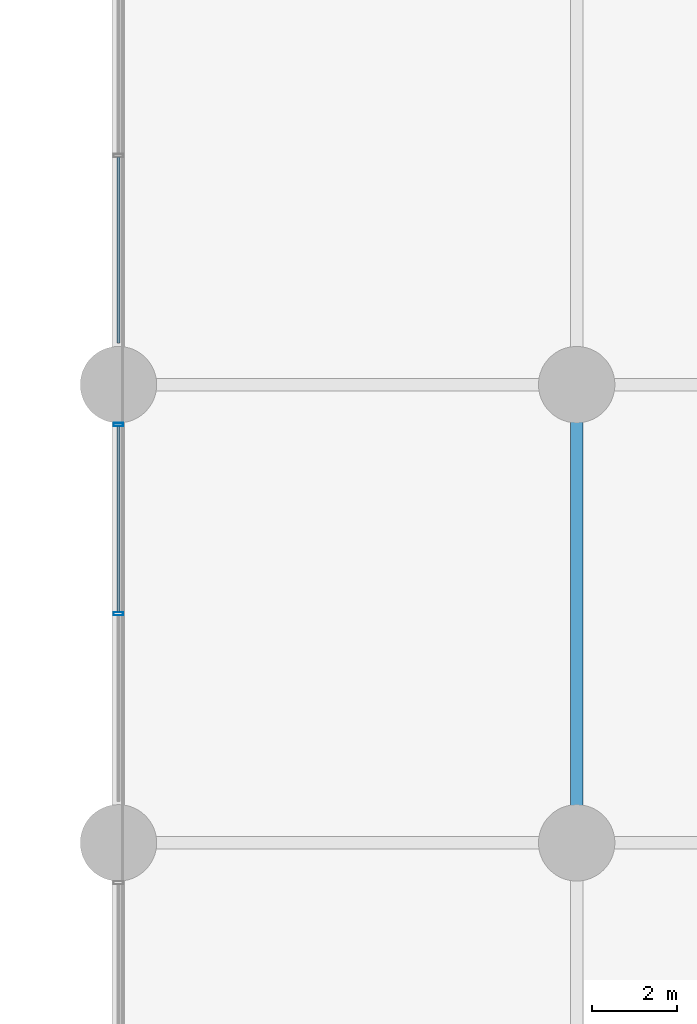
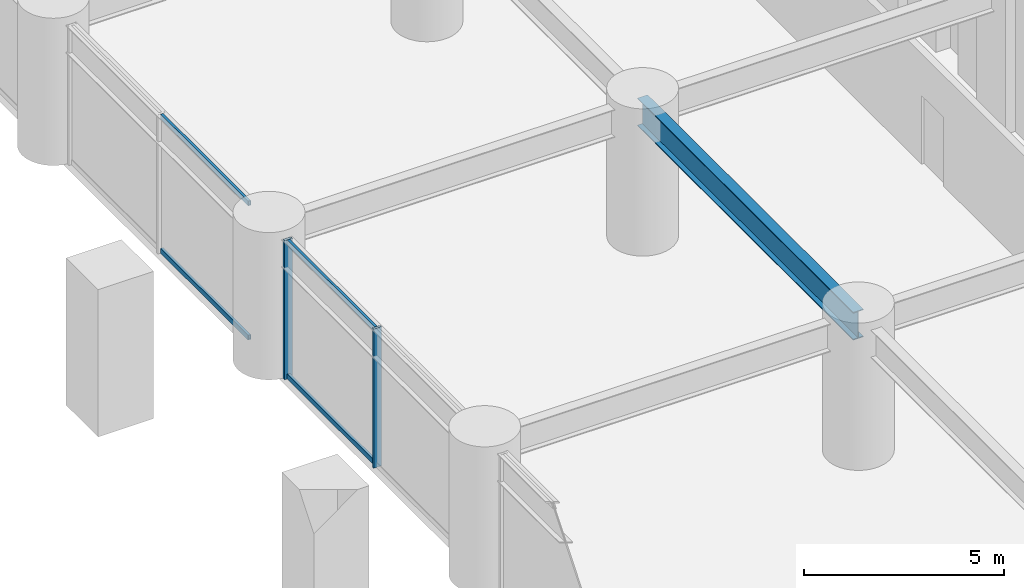
# One storey, part 6 of 31: 6 members, 1 beam, 1 element without a shape of its own.
"""IFC4 building model written with IfcOpenShell, lengths in metres."""

from ifc_helpers import new_model, si_unit, direction, frame, origin, origin_2d, place, context, subcontext, project, spatial, hollow_rectangle, i_section, extrude, material, layer, layer_set, material_profile, profile_set, type_object, element, aggregate, save


model = new_model("IFC4")

# Units and contexts
model_context = context("Model", 3, precision=1e-05, world=origin(), true_north=direction((0.0, 1.0)))
body_context = subcontext(model_context, "Body", "Model", "MODEL_VIEW")
ifc_project = project(units=[si_unit("LENGTHUNIT", "METRE"), si_unit("AREAUNIT", "SQUARE_METRE"), si_unit("VOLUMEUNIT", "CUBIC_METRE"), si_unit("PLANEANGLEUNIT", "RADIAN"), si_unit("MASSUNIT", "GRAM", prefix="KILO")], contexts=[model_context])

# Site, building, storey
site_placement = place(None, origin())
site = spatial("IfcSite", under=ifc_project, at=site_placement, CompositionType="ELEMENT")
building_placement = place(site_placement, origin())
building = spatial("IfcBuilding", under=site, at=building_placement, Name="Surkhivell Harbour Commons", CompositionType="ELEMENT")
storey_placement = place(building_placement, frame((0.0, 0.0, 4.5)))
storey = spatial("IfcBuildingStorey", under=building, at=storey_placement, Name="L01", CompositionType="ELEMENT", Elevation=4.5)

# Beam
ifc_material_1 = material(Name="Steel S460", Category="steel")
ifc_material_profile_1 = material_profile(ifc_material_1, i_section(OverallWidth=0.2939453125, OverallDepth=0.85107421875, WebThickness=0.01611328125, FlangeThickness=0.02685546875, at=origin_2d()), Name="UB838x292x226")
ifc_profile_set_1 = profile_set([ifc_material_profile_1], Name="Steel S460")
beam_type = type_object("IfcBeamType", Name="BM-SPN-838", PredefinedType="SPANDREL", material=ifc_profile_set_1)
beam_placement = place(storey_placement, frame((-21.60009765625, -10.800048828125, 3.824462890625), z_axis=(0.0, 1.0, 0.0), x_axis=(-1.0, 0.0, 0.0)))
element("IfcBeam", 1, at=beam_placement, inside=storey, type_object=beam_type, Name="L01 Framing Beam (-21.6,-10.8)", PredefinedType="SPANDREL", context=body_context, shape_type="SweptSolid", body=[
    extrude(i_section(OverallWidth=0.2939453125, OverallDepth=0.85107421875, WebThickness=0.01611328125, FlangeThickness=0.02685546875, at=origin_2d()), origin(), (0.0, 0.0, 1.0), 10.800048828125),
])

# Curtain wall, members
ifc_material_2 = material(Name="Anodised pale-metal aluminium and insulated glazing", Category="aluminium")
ifc_layer = layer(ifc_material_2, 0.239990234375)
ifc_layer_set = layer_set([ifc_layer], Name="Anodised pale-metal aluminium and insulated glazing")
curtain_wall_type = type_object("IfcCurtainWallType", Name="CW-SYS-POD", PredefinedType="NOTDEFINED", material=ifc_layer_set)
curtain_wall_placement = place(storey_placement, origin())
curtain_wall = element("IfcCurtainWall", 2, at=curtain_wall_placement, inside=storey, type_object=curtain_wall_type, Name="L01 Curtain Wall CW-L01-P04", PredefinedType="NOTDEFINED")
ifc_material_3 = material(Name="Anodised pale-metal aluminium alloy 6063-T6", Category="aluminium")
ifc_material_profile_2 = material_profile(ifc_material_3, hollow_rectangle(XDim=0.074951171875, YDim=0.219970703125, WallThickness=0.00390625, at=origin_2d()), Name="ALU-MULL-75x220")
ifc_profile_set_2 = profile_set([ifc_material_profile_2], Name="Anodised pale-metal aluminium alloy 6063-T6")
member_type_1 = type_object("IfcMemberType", Name="CWM-220", PredefinedType="MULLION", material=ifc_profile_set_2)
member_1_placement = place(storey_placement, frame((-32.39990234375, -0.939453125, 0.0), z_axis=(0.0, 0.0, 1.0), x_axis=(0.0, -1.0, 0.0)))
member_1 = element("IfcMember", 3, at=member_1_placement, type_object=member_type_1, Name="CW-POD mullion 5", PredefinedType="MULLION", context=body_context, shape_type="SweptSolid", body=[
    extrude(hollow_rectangle(XDim=0.074951171875, YDim=0.219970703125, WallThickness=0.00390625, at=origin_2d()), origin(), (0.0, 0.0, 1.0), 4.25),
])
member_2_placement = place(storey_placement, frame((-32.39990234375, -5.39990234375, 0.0), z_axis=(0.0, 0.0, 1.0), x_axis=(0.0, -1.0, 0.0)))
member_2 = element("IfcMember", 4, at=member_2_placement, type_object=member_type_1, Name="CW-POD mullion 6", PredefinedType="MULLION", context=body_context, shape_type="SweptSolid", body=[
    extrude(hollow_rectangle(XDim=0.074951171875, YDim=0.219970703125, WallThickness=0.00390625, at=origin_2d()), origin(), (0.0, 0.0, 1.0), 4.25),
])
ifc_material_profile_3 = material_profile(ifc_material_3, hollow_rectangle(XDim=0.074951171875, YDim=0.14990234375, WallThickness=0.00341796875, at=origin_2d()), Name="ALU-TRAN-75x150")
ifc_profile_set_3 = profile_set([ifc_material_profile_3], Name="Anodised pale-metal aluminium alloy 6063-T6")
member_type_2 = type_object("IfcMemberType", Name="CWT-150", PredefinedType="USERDEFINED", material=ifc_profile_set_3)
member_3_placement = place(storey_placement, frame((-32.39990234375, 5.362548828125, 0.074951171875), z_axis=(0.0, -1.0, 0.0), x_axis=(1.0, 0.0, 0.0)))
member_3 = element("IfcMember", 5, at=member_3_placement, type_object=member_type_2, Name="CW-POD transom 4.1", ObjectType="TRANSOM", PredefinedType="USERDEFINED", context=body_context, shape_type="SweptSolid", body=[
    extrude(hollow_rectangle(XDim=0.074951171875, YDim=0.14990234375, WallThickness=0.00341796875, at=origin_2d()), origin(), (0.0, 0.0, 1.0), 4.385498046875),
])
member_4_placement = place(storey_placement, frame((-32.39990234375, 5.362548828125, 4.175048828125), z_axis=(0.0, -1.0, 0.0), x_axis=(1.0, 0.0, 0.0)))
member_4 = element("IfcMember", 6, at=member_4_placement, type_object=member_type_2, Name="CW-POD transom 4.2", ObjectType="TRANSOM", PredefinedType="USERDEFINED", context=body_context, shape_type="SweptSolid", body=[
    extrude(hollow_rectangle(XDim=0.074951171875, YDim=0.14990234375, WallThickness=0.00341796875, at=origin_2d()), origin(), (0.0, 0.0, 1.0), 4.385498046875),
])
member_5_placement = place(storey_placement, frame((-32.39990234375, -0.97705078125, 0.074951171875), z_axis=(0.0, -1.0, 0.0), x_axis=(1.0, 0.0, 0.0)))
member_5 = element("IfcMember", 7, at=member_5_placement, type_object=member_type_2, Name="CW-POD transom 5.1", ObjectType="TRANSOM", PredefinedType="USERDEFINED", context=body_context, shape_type="SweptSolid", body=[
    extrude(hollow_rectangle(XDim=0.074951171875, YDim=0.14990234375, WallThickness=0.00341796875, at=origin_2d()), origin(), (0.0, 0.0, 1.0), 4.385498046875),
])
member_6_placement = place(storey_placement, frame((-32.39990234375, -0.97705078125, 4.175048828125), z_axis=(0.0, -1.0, 0.0), x_axis=(1.0, 0.0, 0.0)))
member_6 = element("IfcMember", 8, at=member_6_placement, type_object=member_type_2, Name="CW-POD transom 5.2", ObjectType="TRANSOM", PredefinedType="USERDEFINED", context=body_context, shape_type="SweptSolid", body=[
    extrude(hollow_rectangle(XDim=0.074951171875, YDim=0.14990234375, WallThickness=0.00341796875, at=origin_2d()), origin(), (0.0, 0.0, 1.0), 4.385498046875),
])
aggregate(curtain_wall, [member_3, member_4, member_1, member_2, member_5, member_6])

save(model, "model.ifc")
